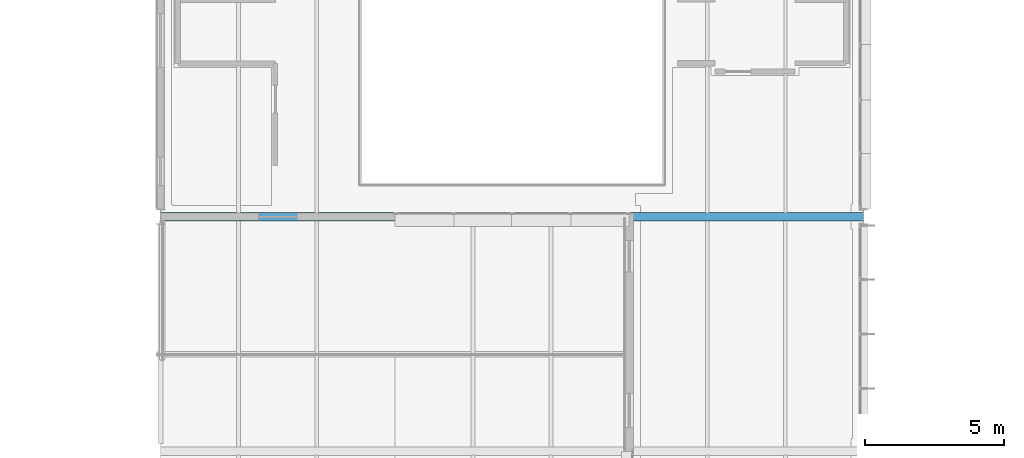
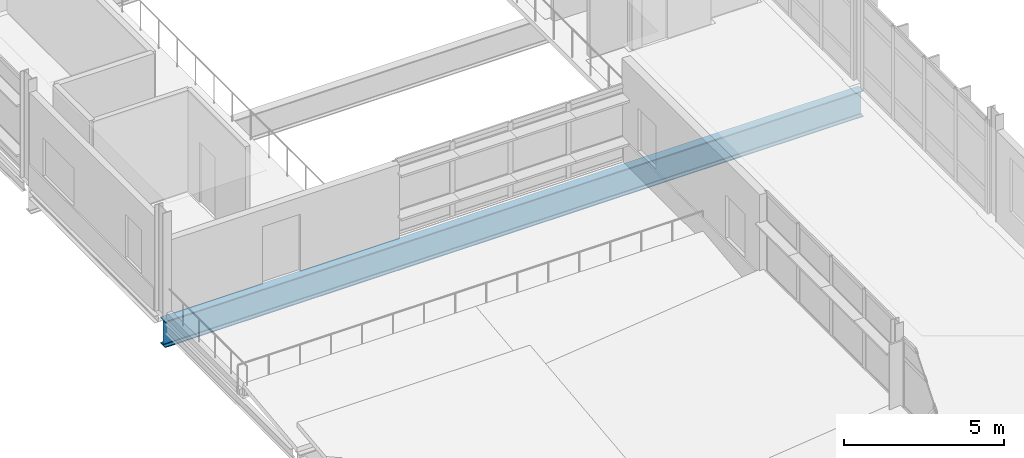
# One storey, part 29 of 131: 1 beam.
"""IFC4 building model written with IfcOpenShell, lengths in metres."""

from ifc_helpers import new_model, si_unit, direction, frame, origin, origin_2d, place, context, subcontext, project, spatial, i_section, extrude, material, material_profile, profile_set, type_object, element, save


model = new_model("IFC4")

# Units and contexts
model_context = context("Model", 3, precision=1e-05, world=origin(), true_north=direction((0.0, 1.0)))
body_context = subcontext(model_context, "Body", "Model", "MODEL_VIEW")
ifc_project = project(units=[si_unit("LENGTHUNIT", "METRE"), si_unit("AREAUNIT", "SQUARE_METRE"), si_unit("VOLUMEUNIT", "CUBIC_METRE"), si_unit("PLANEANGLEUNIT", "RADIAN"), si_unit("MASSUNIT", "GRAM", prefix="KILO")], contexts=[model_context])

# Site, building, storey
site_placement = place(None, origin())
site = spatial("IfcSite", under=ifc_project, at=site_placement, CompositionType="ELEMENT")
building_placement = place(site_placement, origin())
building = spatial("IfcBuilding", under=site, at=building_placement, Name="Mersafa Astral City Hall", CompositionType="ELEMENT")
storey_placement = place(building_placement, frame((0.0, 0.0, 13.949951171875)))
storey = spatial("IfcBuildingStorey", under=building, at=storey_placement, Name="L03", CompositionType="ELEMENT", Elevation=13.949951171875)

# Beam
ifc_material = material(Name="Steel S355", Category="steel")
ifc_material_profile = material_profile(ifc_material, i_section(OverallWidth=0.300048828125, OverallDepth=1.0, WebThickness=0.01904296875, FlangeThickness=0.035888671875, FilletRadius=0.030029296875, at=origin_2d()), Name="HEB 1000")
ifc_profile_set = profile_set([ifc_material_profile], Name="Steel S355")
beam_type = type_object("IfcBeamType", Name="STR-BM-PORTAL-HEB1000", PredefinedType="BEAM", material=ifc_profile_set)
beam_placement = place(storey_placement, frame((92.403076171875, 50.39990234375, -0.699951171875), z_axis=(1.0, 0.0, 0.0), x_axis=(0.0, 1.0, 0.0)))
element("IfcBeam", 1, at=beam_placement, inside=storey, type_object=beam_type, Name="L03 Public Service Hall clear-span portal girder 6", PredefinedType="BEAM", context=body_context, shape_type="SweptSolid", body=[
    extrude(i_section(OverallWidth=0.300048828125, OverallDepth=1.0, WebThickness=0.01904296875, FlangeThickness=0.035888671875, FilletRadius=0.030029296875, at=origin_2d()), origin(), (0.0, 0.0, 1.0), 25.19384765625),
])

save(model, "model.ifc")
